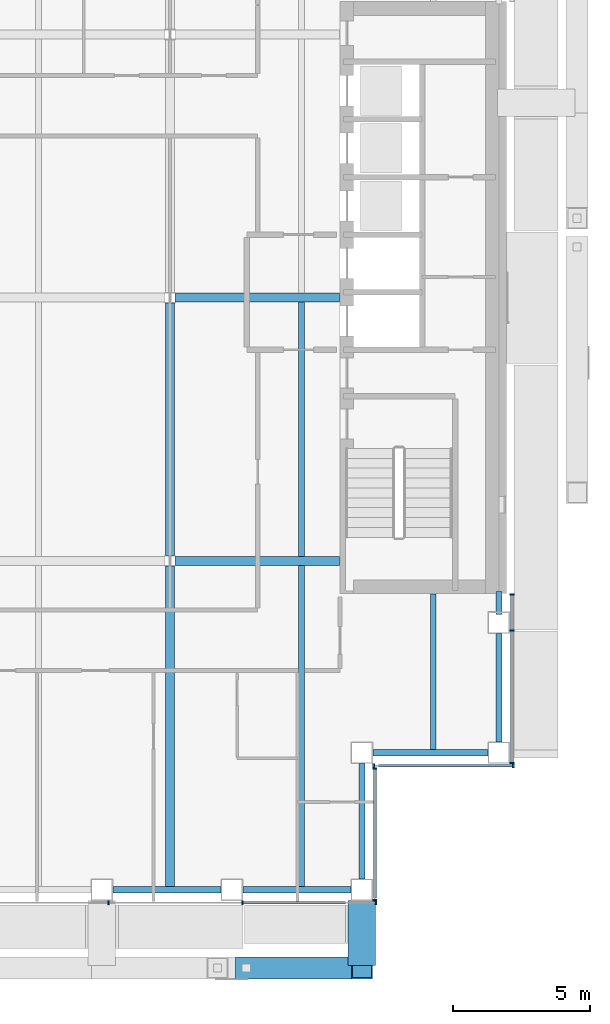
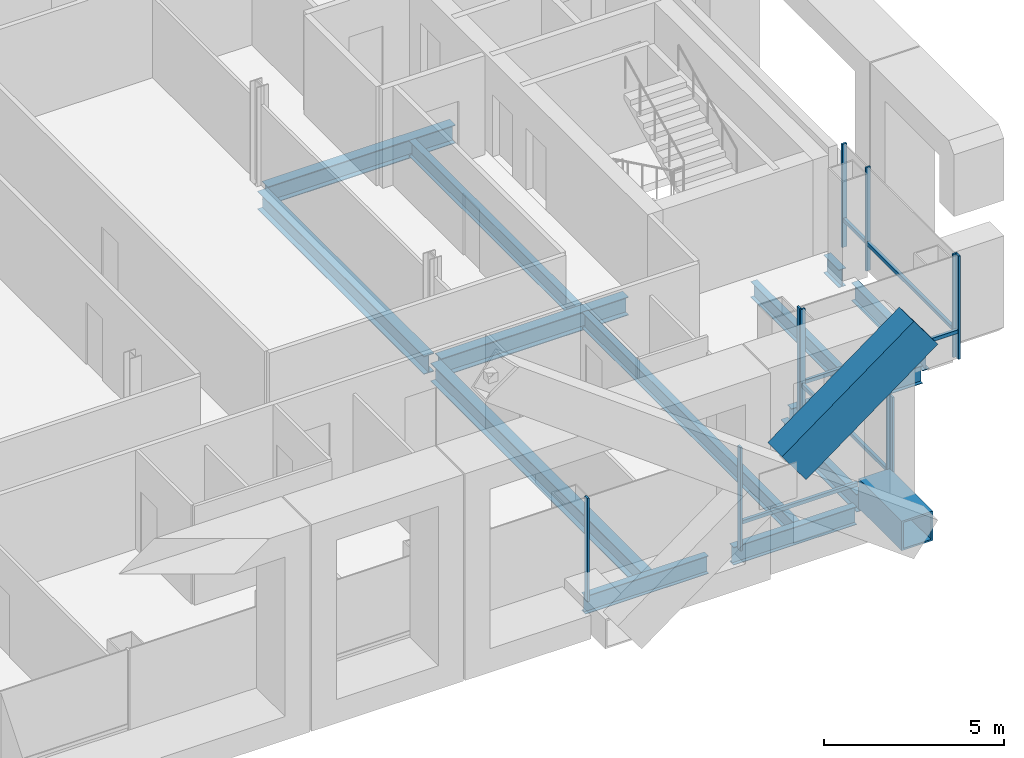
# One storey, part 6 of 22: 16 members, 14 beams, 4 elements without a shape of their own.
"""IFC4 building model written with IfcOpenShell, lengths in metres."""

from ifc_helpers import new_model, si_unit, direction, frame, origin, origin_2d, place, context, subcontext, project, spatial, rectangle, hollow_rectangle, i_section, extrude, material, material_profile, profile_set, type_object, element, aggregate, save


model = new_model("IFC4")

# Units and contexts
model_context = context("Model", 3, precision=1e-05, world=origin(), true_north=direction((0.0, 1.0)))
body_context = subcontext(model_context, "Body", "Model", "MODEL_VIEW")
ifc_project = project(units=[si_unit("LENGTHUNIT", "METRE"), si_unit("AREAUNIT", "SQUARE_METRE"), si_unit("VOLUMEUNIT", "CUBIC_METRE"), si_unit("PLANEANGLEUNIT", "RADIAN"), si_unit("MASSUNIT", "GRAM", prefix="KILO")], contexts=[model_context])

# Site, building, storey
site_placement = place(None, origin())
site = spatial("IfcSite", under=ifc_project, at=site_placement, CompositionType="ELEMENT")
building_placement = place(site_placement, origin())
building = spatial("IfcBuilding", under=site, at=building_placement, Name="Cobrizo Arcos Hotel Tower", CompositionType="ELEMENT")
storey_placement = place(building_placement, frame((0.0, 0.0, 169.0)))
storey = spatial("IfcBuildingStorey", under=building, at=storey_placement, Name="L43", CompositionType="ELEMENT", Elevation=169.0)

# Beam
ifc_material_1 = material(Name="Steel ASTM A572 Grade 50", Category="steel")
ifc_material_profile_1 = material_profile(ifc_material_1, hollow_rectangle(XDim=1.0, YDim=1.0, WallThickness=0.06005859375, at=origin_2d()), Name="BOX 1000X1000X60")
ifc_profile_set_1 = profile_set([ifc_material_profile_1], Name="Steel ASTM A572 Grade 50")
beam_type_1 = type_object("IfcBeamType", Name="BOX 1000X1000X60 brace connector strut", PredefinedType="BEAM", material=ifc_profile_set_1)
beam_1_placement = place(storey_placement, frame((16.60009765625, -21.989990234375, 0.5), z_axis=(0.0, -1.0, 0.0), x_axis=(1.0, 0.0, 0.0)))
element("IfcBeam", 1, at=beam_1_placement, inside=storey, type_object=beam_type_1, Name="Perimeter brace stub BS1, zone Z3, south face, offset +16.60 m, L43", PredefinedType="BEAM", context=body_context, shape_type="SweptSolid", body=[
    extrude(hollow_rectangle(XDim=1.0, YDim=1.0, WallThickness=0.06005859375, at=origin_2d()), origin(), (0.0, 0.0, 1.0), 2.380126953125),
])

# Member
ifc_material_profile_2 = material_profile(ifc_material_1, hollow_rectangle(XDim=0.800048828125, YDim=1.300048828125, WallThickness=0.06005859375, at=origin_2d()), Name="BOX 800X1300X60")
ifc_profile_set_2 = profile_set([ifc_material_profile_2], Name="Steel ASTM A572 Grade 50")
member_type_1 = type_object("IfcMemberType", Name="BOX 800X1300X60 perimeter brace", PredefinedType="BRACE", material=ifc_profile_set_2)
member_1_placement = place(storey_placement, frame((12.38037109375, -24.449951171875, 4.385986328125), z_axis=(0.804623858684, 0.0, 0.593784848271), x_axis=(0.0, 1.0, 0.0)))
element("IfcMember", 2, at=member_1_placement, inside=storey, type_object=member_type_1, Name="Perimeter brace PBR3, zone Z3, south face, no. 12b", PredefinedType="BRACE", context=body_context, shape_type="SweptSolid", body=[
    extrude(hollow_rectangle(XDim=0.800048828125, YDim=1.300048828125, WallThickness=0.06005859375, at=origin_2d()), origin(), (0.0, 0.0, 1.0), 5.244384765625),
])

# Curtain wall, members
ifc_material_2 = material(Name="Aluminium 6063-T6 anodised bronze", Category="aluminium")
curtain_wall_type = type_object("IfcCurtainWallType", Name="CW-A guest facade", PredefinedType="NOTDEFINED", material=ifc_material_2)
curtain_wall_1_placement = place(storey_placement, origin())
curtain_wall_1 = element("IfcCurtainWall", 3, at=curtain_wall_1_placement, inside=storey, type_object=curtain_wall_type, Name="CW-A L43 S face", PredefinedType="NOTDEFINED")
ifc_material_profile_3 = material_profile(ifc_material_2, rectangle(XDim=0.14990234375, YDim=0.06005859375, at=origin_2d()), Name="CW-A mullion 150x60")
ifc_profile_set_3 = profile_set([ifc_material_profile_3], Name="Aluminium 6063-T6 anodised bronze")
member_type_2 = type_object("IfcMemberType", Name="CW-A mullion 150x60", PredefinedType="MULLION", material=ifc_profile_set_3)
member_2_placement = place(storey_placement, frame((7.35009765625, -22.074951171875, 0.0), z_axis=(0.0, 0.0, 1.0), x_axis=(0.0, -1.0, 0.0)))
member_2 = element("IfcMember", 4, at=member_2_placement, type_object=member_type_2, Name="CW-A mullion 6", PredefinedType="MULLION", context=body_context, shape_type="SweptSolid", body=[
    extrude(rectangle(XDim=0.14990234375, YDim=0.06005859375, at=origin_2d()), origin(), (0.0, 0.0, 1.0), 3.5),
])
member_3_placement = place(storey_placement, frame((12.25, -22.074951171875, 0.0), z_axis=(0.0, 0.0, 1.0), x_axis=(0.0, -1.0, 0.0)))
member_3 = element("IfcMember", 5, at=member_3_placement, type_object=member_type_2, Name="CW-A mullion 7", PredefinedType="MULLION", context=body_context, shape_type="SweptSolid", body=[
    extrude(rectangle(XDim=0.14990234375, YDim=0.06005859375, at=origin_2d()), origin(), (0.0, 0.0, 1.0), 3.5),
])
member_4_placement = place(storey_placement, frame((17.1201171875, -22.074951171875, 0.0), z_axis=(0.0, 0.0, 1.0), x_axis=(0.0, -1.0, 0.0)))
member_4 = element("IfcMember", 6, at=member_4_placement, type_object=member_type_2, Name="CW-A mullion 8", PredefinedType="MULLION", context=body_context, shape_type="SweptSolid", body=[
    extrude(rectangle(XDim=0.14990234375, YDim=0.06005859375, at=origin_2d()), origin(), (0.0, 0.0, 1.0), 3.5),
])

curtain_wall_2_placement = place(storey_placement, origin())
curtain_wall_2 = element("IfcCurtainWall", 7, at=curtain_wall_2_placement, inside=storey, type_object=curtain_wall_type, Name="CW-A L43 E face", PredefinedType="NOTDEFINED")
member_5_placement = place(storey_placement, frame((17.074951171875, -21.969970703125, 0.0), z_axis=(0.0, 0.0, 1.0), x_axis=(1.0, 0.0, 0.0)))
member_5 = element("IfcMember", 8, at=member_5_placement, type_object=member_type_2, Name="CW-A mullion 1", PredefinedType="MULLION", context=body_context, shape_type="SweptSolid", body=[
    extrude(rectangle(XDim=0.14990234375, YDim=0.06005859375, at=origin_2d()), origin(), (0.0, 0.0, 1.0), 3.5),
])
member_6_placement = place(storey_placement, frame((17.074951171875, -17.179931640625, 0.0), z_axis=(0.0, 0.0, 1.0), x_axis=(1.0, 0.0, 0.0)))
member_6 = element("IfcMember", 9, at=member_6_placement, type_object=member_type_2, Name="CW-A mullion 2", PredefinedType="MULLION", context=body_context, shape_type="SweptSolid", body=[
    extrude(rectangle(XDim=0.14990234375, YDim=0.06005859375, at=origin_2d()), origin(), (0.0, 0.0, 1.0), 3.5),
])

curtain_wall_3_placement = place(storey_placement, origin())
curtain_wall_3 = element("IfcCurtainWall", 10, at=curtain_wall_3_placement, inside=storey, type_object=curtain_wall_type, Name="CW-A L43 S face", PredefinedType="NOTDEFINED")
member_7_placement = place(storey_placement, frame((17.030029296875, -17.074951171875, 0.0), z_axis=(0.0, 0.0, 1.0), x_axis=(0.0, -1.0, 0.0)))
member_7 = element("IfcMember", 11, at=member_7_placement, type_object=member_type_2, Name="CW-A mullion 1", PredefinedType="MULLION", context=body_context, shape_type="SweptSolid", body=[
    extrude(rectangle(XDim=0.14990234375, YDim=0.06005859375, at=origin_2d()), origin(), (0.0, 0.0, 1.0), 3.5),
])
member_8_placement = place(storey_placement, frame((22.1201171875, -17.074951171875, 0.0), z_axis=(0.0, 0.0, 1.0), x_axis=(0.0, -1.0, 0.0)))
member_8 = element("IfcMember", 12, at=member_8_placement, type_object=member_type_2, Name="CW-A mullion 2", PredefinedType="MULLION", context=body_context, shape_type="SweptSolid", body=[
    extrude(rectangle(XDim=0.14990234375, YDim=0.06005859375, at=origin_2d()), origin(), (0.0, 0.0, 1.0), 3.5),
])

curtain_wall_4_placement = place(storey_placement, origin())
curtain_wall_4 = element("IfcCurtainWall", 13, at=curtain_wall_4_placement, inside=storey, type_object=curtain_wall_type, Name="CW-A L43 E face", PredefinedType="NOTDEFINED")
member_9_placement = place(storey_placement, frame((22.074951171875, -16.969970703125, 0.0), z_axis=(0.0, 0.0, 1.0), x_axis=(1.0, 0.0, 0.0)))
member_9 = element("IfcMember", 14, at=member_9_placement, type_object=member_type_2, Name="CW-A mullion 1", PredefinedType="MULLION", context=body_context, shape_type="SweptSolid", body=[
    extrude(rectangle(XDim=0.14990234375, YDim=0.06005859375, at=origin_2d()), origin(), (0.0, 0.0, 1.0), 3.5),
])
member_10_placement = place(storey_placement, frame((22.074951171875, -12.142822265625, 0.0), z_axis=(0.0, 0.0, 1.0), x_axis=(1.0, 0.0, 0.0)))
member_10 = element("IfcMember", 15, at=member_10_placement, type_object=member_type_2, Name="CW-A mullion 2", PredefinedType="MULLION", context=body_context, shape_type="SweptSolid", body=[
    extrude(rectangle(XDim=0.14990234375, YDim=0.06005859375, at=origin_2d()), origin(), (0.0, 0.0, 1.0), 3.5),
])
member_11_placement = place(storey_placement, frame((22.074951171875, -10.830078125, 0.0), z_axis=(0.0, 0.0, 1.0), x_axis=(1.0, 0.0, 0.0)))
member_11 = element("IfcMember", 16, at=member_11_placement, type_object=member_type_2, Name="CW-A mullion 3", PredefinedType="MULLION", context=body_context, shape_type="SweptSolid", body=[
    extrude(rectangle(XDim=0.14990234375, YDim=0.06005859375, at=origin_2d()), origin(), (0.0, 0.0, 1.0), 3.5),
])

# Member
ifc_material_profile_4 = material_profile(ifc_material_2, rectangle(XDim=0.10009765625, YDim=0.1201171875, at=origin_2d()), Name="CW-A transom 120x100")
ifc_profile_set_4 = profile_set([ifc_material_profile_4], Name="Aluminium 6063-T6 anodised bronze")
member_type_3 = type_object("IfcMemberType", Name="CW-A transom 120x100", PredefinedType="USERDEFINED", material=ifc_profile_set_4)
member_12_placement = place(storey_placement, frame((12.280029296875, -22.074951171875, 0.929931640625), z_axis=(1.0, 0.0, 0.0), x_axis=(0.0, 1.0, 0.0)))
member_12 = element("IfcMember", 17, at=member_12_placement, type_object=member_type_3, Name="CW-A transom 1522", ObjectType="TRANSOM", PredefinedType="USERDEFINED", context=body_context, shape_type="SweptSolid", body=[
    extrude(rectangle(XDim=0.10009765625, YDim=0.1201171875, at=origin_2d()), origin(), (0.0, 0.0, 1.0), 3.719970703125),
])

aggregate(curtain_wall_1, [member_2, member_3, member_4, member_12])

member_13_placement = place(storey_placement, frame((17.074951171875, -21.889892578125, 0.929931640625), z_axis=(0.0, 1.0, 0.0), x_axis=(-1.0, 0.0, 0.0)))
member_13 = element("IfcMember", 18, at=member_13_placement, type_object=member_type_3, Name="CW-A transom 1523", ObjectType="TRANSOM", PredefinedType="USERDEFINED", context=body_context, shape_type="SweptSolid", body=[
    extrude(rectangle(XDim=0.10009765625, YDim=0.1201171875, at=origin_2d()), origin(), (0.0, 0.0, 1.0), 4.679931640625),
])

aggregate(curtain_wall_2, [member_5, member_6, member_13])

member_14_placement = place(storey_placement, frame((17.199951171875, -17.074951171875, 0.929931640625), z_axis=(1.0, 0.0, 0.0), x_axis=(0.0, 1.0, 0.0)))
member_14 = element("IfcMember", 19, at=member_14_placement, type_object=member_type_3, Name="CW-A transom 1524", ObjectType="TRANSOM", PredefinedType="USERDEFINED", context=body_context, shape_type="SweptSolid", body=[
    extrude(rectangle(XDim=0.10009765625, YDim=0.1201171875, at=origin_2d()), origin(), (0.0, 0.0, 1.0), 4.89013671875),
])

aggregate(curtain_wall_3, [member_7, member_8, member_14])

member_15_placement = place(storey_placement, frame((22.074951171875, -16.93994140625, 0.929931640625), z_axis=(0.0, 1.0, 0.0), x_axis=(-1.0, 0.0, 0.0)))
member_15 = element("IfcMember", 20, at=member_15_placement, type_object=member_type_3, Name="CW-A transom 1525", ObjectType="TRANSOM", PredefinedType="USERDEFINED", context=body_context, shape_type="SweptSolid", body=[
    extrude(rectangle(XDim=0.10009765625, YDim=0.1201171875, at=origin_2d()), origin(), (0.0, 0.0, 1.0), 4.76708984375),
])

member_16_placement = place(storey_placement, frame((22.074951171875, -12.11279296875, 0.929931640625), z_axis=(0.0, 1.0, 0.0), x_axis=(-1.0, 0.0, 0.0)))
member_16 = element("IfcMember", 21, at=member_16_placement, type_object=member_type_3, Name="CW-A transom 1526", ObjectType="TRANSOM", PredefinedType="USERDEFINED", context=body_context, shape_type="SweptSolid", body=[
    extrude(rectangle(XDim=0.10009765625, YDim=0.1201171875, at=origin_2d()), origin(), (0.0, 0.0, 1.0), 1.252685546875),
])

aggregate(curtain_wall_4, [member_9, member_10, member_11, member_15, member_16])

# Beams
ifc_material_3 = material(Name="Steel ASTM A992 Grade 50", Category="steel")
ifc_material_profile_5 = material_profile(ifc_material_3, i_section(OverallWidth=0.209228515625, OverallDepth=0.533447265625, WebThickness=0.01025390625, FlangeThickness=0.015625, at=origin_2d()), Name="W21X62")
ifc_profile_set_5 = profile_set([ifc_material_profile_5], Name="Steel ASTM A992 Grade 50")
beam_type_2 = type_object("IfcBeamType", Name="W21X62 joist", PredefinedType="JOIST", material=ifc_profile_set_5)
beam_2_placement = place(storey_placement, frame((14.39990234375, -21.510009765625, -0.416748046875), z_axis=(0.0, 1.0, 0.0), x_axis=(-1.0, 0.0, 0.0)))
element("IfcBeam", 22, at=beam_2_placement, inside=storey, type_object=beam_type_2, Name="Floor joist J1, L43, no. 015", PredefinedType="JOIST", context=body_context, shape_type="SweptSolid", body=[
    extrude(i_section(OverallWidth=0.209228515625, OverallDepth=0.533447265625, WebThickness=0.01025390625, FlangeThickness=0.015625, at=origin_2d()), origin(), (0.0, 0.0, 1.0), 11.74609375),
])
beam_3_placement = place(storey_placement, frame((14.39990234375, -9.43603515625, -0.416748046875), z_axis=(0.0, 1.0, 0.0), x_axis=(-1.0, 0.0, 0.0)))
element("IfcBeam", 23, at=beam_3_placement, inside=storey, type_object=beam_type_2, Name="Floor joist J1, L43, no. 016", PredefinedType="JOIST", context=body_context, shape_type="SweptSolid", body=[
    extrude(i_section(OverallWidth=0.209228515625, OverallDepth=0.533447265625, WebThickness=0.01025390625, FlangeThickness=0.015625, at=origin_2d()), origin(), (0.0, 0.0, 1.0), 9.272216796875),
])
beam_4_placement = place(storey_placement, frame((19.199951171875, -16.510009765625, -0.416748046875), z_axis=(0.0, 1.0, 0.0), x_axis=(-1.0, 0.0, 0.0)))
element("IfcBeam", 24, at=beam_4_placement, inside=storey, type_object=beam_type_2, Name="Floor joist J1, L43, no. 019", PredefinedType="JOIST", context=body_context, shape_type="SweptSolid", body=[
    extrude(i_section(OverallWidth=0.209228515625, OverallDepth=0.533447265625, WebThickness=0.01025390625, FlangeThickness=0.015625, at=origin_2d()), origin(), (0.0, 0.0, 1.0), 5.699951171875),
])
ifc_material_profile_6 = material_profile(ifc_material_3, i_section(OverallWidth=0.32763671875, OverallDepth=0.622314453125, WebThickness=0.015380859375, FlangeThickness=0.0244140625, at=origin_2d()), Name="W24X131")
ifc_profile_set_6 = profile_set([ifc_material_profile_6], Name="Steel ASTM A992 Grade 50")
beam_type_3 = type_object("IfcBeamType", Name="W24X131 girder", PredefinedType="BEAM", material=ifc_profile_set_6)
for number, where, z_axis, x_axis, name in (
    (25, (9.78662109375, -9.60009765625, -0.461181640625), (1.0, 0.0, 0.0), (0.0, 1.0, 0.0), "Floor girder G1, L43, no. 004"),
    (26, (9.78662109375, 0.0, -0.461181640625), (1.0, 0.0, 0.0), (0.0, 1.0, 0.0), "Floor girder G1, L43, no. 008"),
):
    element("IfcBeam", number, at=place(storey_placement, frame(where, z_axis=z_axis, x_axis=x_axis)), inside=storey, type_object=beam_type_3, Name=name, PredefinedType="BEAM", context=body_context, shape_type="SweptSolid", body=[
        extrude(i_section(OverallWidth=0.32763671875, OverallDepth=0.622314453125, WebThickness=0.015380859375, FlangeThickness=0.0244140625, at=origin_2d()), origin(), (0.0, 0.0, 1.0), 6.00341796875),
    ])
beam_5_placement = place(storey_placement, frame((9.60009765625, -21.510009765625, -0.461181640625), z_axis=(0.0, 1.0, 0.0), x_axis=(-1.0, 0.0, 0.0)))
element("IfcBeam", 27, at=beam_5_placement, inside=storey, type_object=beam_type_3, Name="Floor girder G1, L43, no. 021", PredefinedType="BEAM", context=body_context, shape_type="SweptSolid", body=[
    extrude(i_section(OverallWidth=0.32763671875, OverallDepth=0.622314453125, WebThickness=0.015380859375, FlangeThickness=0.0244140625, at=origin_2d()), origin(), (0.0, 0.0, 1.0), 11.723388671875),
])
beam_6_placement = place(storey_placement, frame((9.60009765625, -9.413330078125, -0.461181640625), z_axis=(0.0, 1.0, 0.0), x_axis=(-1.0, 0.0, 0.0)))
element("IfcBeam", 28, at=beam_6_placement, inside=storey, type_object=beam_type_3, Name="Floor girder G1, L43, no. 022", PredefinedType="BEAM", context=body_context, shape_type="SweptSolid", body=[
    extrude(i_section(OverallWidth=0.32763671875, OverallDepth=0.622314453125, WebThickness=0.015380859375, FlangeThickness=0.0244140625, at=origin_2d()), origin(), (0.0, 0.0, 1.0), 9.2265625),
])
ifc_material_profile_7 = material_profile(ifc_material_3, i_section(OverallWidth=0.228271484375, OverallDepth=0.607177734375, WebThickness=0.01123046875, FlangeThickness=0.017333984375, at=origin_2d()), Name="W24X76")
ifc_profile_set_7 = profile_set([ifc_material_profile_7], Name="Steel ASTM A992 Grade 50")
beam_type_4 = type_object("IfcBeamType", Name="W24X76 spandrel", PredefinedType="SPANDREL", material=ifc_profile_set_7)
beam_7_placement = place(storey_placement, frame((7.513916015625, -21.60009765625, -0.45361328125), z_axis=(1.0, 0.0, 0.0), x_axis=(0.0, 1.0, 0.0)))
element("IfcBeam", 29, at=beam_7_placement, inside=storey, type_object=beam_type_4, Name="Spandrel beam W24X76, L43, no. 006", PredefinedType="SPANDREL", context=body_context, shape_type="SweptSolid", body=[
    extrude(i_section(OverallWidth=0.228271484375, OverallDepth=0.607177734375, WebThickness=0.01123046875, FlangeThickness=0.017333984375, at=origin_2d()), origin(), (0.0, 0.0, 1.0), 3.943115234375),
])
beam_8_placement = place(storey_placement, frame((12.257080078125, -21.60009765625, -0.45361328125), z_axis=(1.0, 0.0, 0.0), x_axis=(0.0, 1.0, 0.0)))
element("IfcBeam", 30, at=beam_8_placement, inside=storey, type_object=beam_type_4, Name="Spandrel beam W24X76, L43, no. 007", PredefinedType="SPANDREL", context=body_context, shape_type="SweptSolid", body=[
    extrude(i_section(OverallWidth=0.228271484375, OverallDepth=0.607177734375, WebThickness=0.01123046875, FlangeThickness=0.017333984375, at=origin_2d()), origin(), (0.0, 0.0, 1.0), 3.94287109375),
])
for number, where, z_axis, x_axis, name in (
    (31, (16.60009765625, -21.199951171875, -0.45361328125), (0.0, 1.0, 0.0), (-1.0, 0.0, 0.0), "Spandrel beam W24X76, L43, no. 008"),
    (32, (17.0, -16.60009765625, -0.45361328125), (1.0, 0.0, 0.0), (0.0, 1.0, 0.0), "Spandrel beam W24X76, L43, no. 009"),
):
    element("IfcBeam", number, at=place(storey_placement, frame(where, z_axis=z_axis, x_axis=x_axis)), inside=storey, type_object=beam_type_4, Name=name, PredefinedType="SPANDREL", context=body_context, shape_type="SweptSolid", body=[
        extrude(i_section(OverallWidth=0.228271484375, OverallDepth=0.607177734375, WebThickness=0.01123046875, FlangeThickness=0.017333984375, at=origin_2d()), origin(), (0.0, 0.0, 1.0), 4.199951171875),
    ])
beam_9_placement = place(storey_placement, frame((21.60009765625, -16.199951171875, -0.45361328125), z_axis=(0.0, 1.0, 0.0), x_axis=(-1.0, 0.0, 0.0)))
element("IfcBeam", 33, at=beam_9_placement, inside=storey, type_object=beam_type_4, Name="Spandrel beam W24X76, L43, no. 010", PredefinedType="SPANDREL", context=body_context, shape_type="SweptSolid", body=[
    extrude(i_section(OverallWidth=0.228271484375, OverallDepth=0.607177734375, WebThickness=0.01123046875, FlangeThickness=0.017333984375, at=origin_2d()), origin(), (0.0, 0.0, 1.0), 3.94287109375),
])
beam_10_placement = place(storey_placement, frame((21.60009765625, -11.556884765625, -0.45361328125), z_axis=(0.0, 1.0, 0.0), x_axis=(-1.0, 0.0, 0.0)))
element("IfcBeam", 34, at=beam_10_placement, inside=storey, type_object=beam_type_4, Name="Spandrel beam W24X76, L43, no. 011", PredefinedType="SPANDREL", context=body_context, shape_type="SweptSolid", body=[
    extrude(i_section(OverallWidth=0.228271484375, OverallDepth=0.607177734375, WebThickness=0.01123046875, FlangeThickness=0.017333984375, at=origin_2d()), origin(), (0.0, 0.0, 1.0), 0.846923828125),
])

save(model, "model.ifc")
